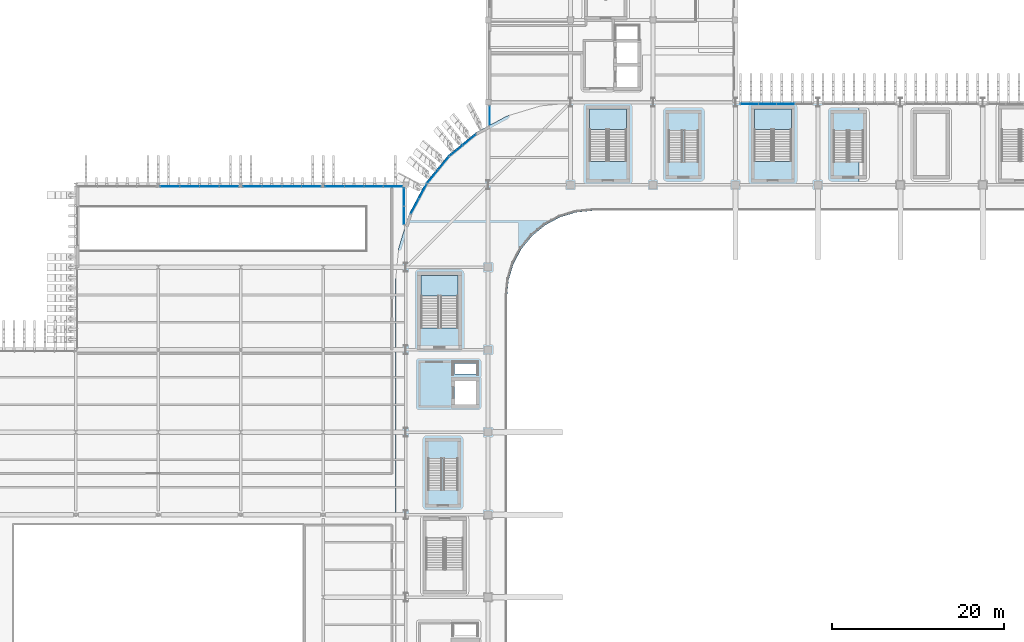
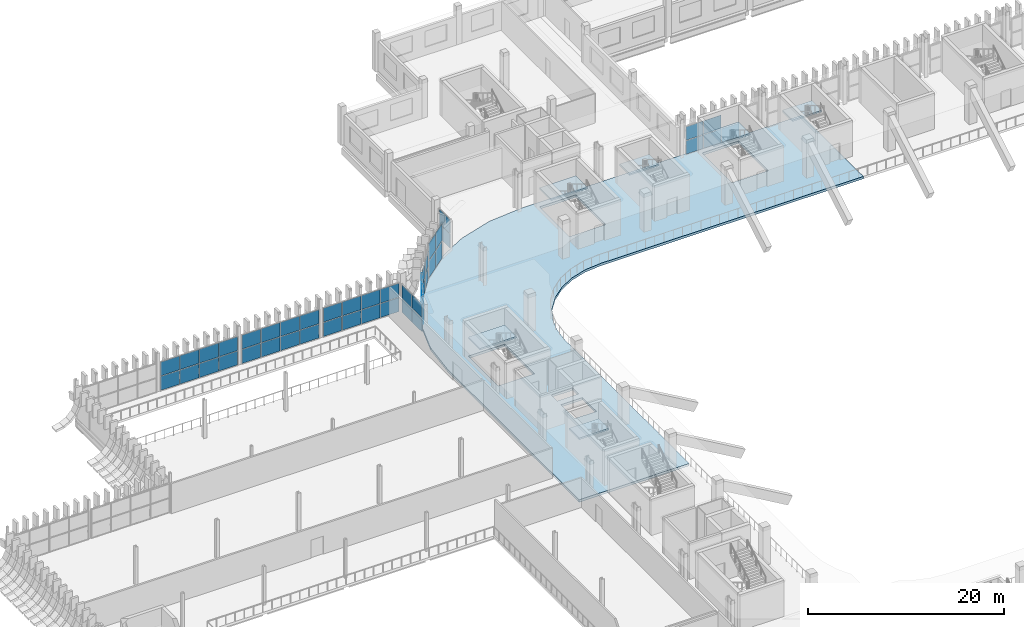
# One storey, part 42 of 100: 47 plates, 7 slabs, 15 elements without a shape of their own.
"""IFC4 building model written with IfcOpenShell, lengths in metres."""

import ifcopenshell
import ifcopenshell.guid

model = None  # the IFC model being written
_history = None  # IfcOwnerHistory: only IFC2X3 demands one
_inside = {}  # id of a spatial element -> (the spatial element, [elements in it])
_under = {}  # id of a project, library or spatial element -> (it, [spatial elements below it])
_declared = {}  # id of a project -> (the project, [libraries it declares])
_typed = {}  # id of a type object -> (the type object, [elements of that type])
_made_of = {}  # id of a material, layer set ... -> (it, [elements and type objects made of it])


def new_model(schema):
    """Start an empty IFC model of exactly this schema.

    Asked for "IFC4X3", IfcOpenShell would pick the latest addendum, in which some entities
    have other attributes; the version numbers below select the first issue.
    IFC2X3 requires an IfcOwnerHistory on every rooted entity: one is made here for all.
    """
    global model, _history
    if schema == "IFC4X3":
        model = ifcopenshell.file(schema_version=(4, 3, 0, 0))
    else:
        model = ifcopenshell.file(schema=schema)
    _inside.clear()
    _under.clear()
    _declared.clear()
    _typed.clear()
    _made_of.clear()
    _history = None
    if model.schema == "IFC2X3":
        org = make("IfcOrganization", Name="unknown")
        user = make(
            "IfcPersonAndOrganization",
            ThePerson=make("IfcPerson", FamilyName="unknown"),
            TheOrganization=org,
        )
        app = make(
            "IfcApplication",
            ApplicationDeveloper=org,
            Version="unknown",
            ApplicationFullName="unknown",
            ApplicationIdentifier="unknown",
        )
        _history = make(
            "IfcOwnerHistory",
            OwningUser=user,
            OwningApplication=app,
            ChangeAction="ADDED",
            CreationDate=0,
        )
    return model


def make(cls, **values):
    """One entity of the class cls with the attributes given. An attribute that is None is left unset."""
    return model.create_entity(
        cls, **{name: value for name, value in values.items() if value is not None}
    )


def rooted(cls, **values):
    """An entity with a GlobalId (a new one), such as an element, a storey or a relation."""
    return make(cls, GlobalId=ifcopenshell.guid.new(), OwnerHistory=_history, **values)


def si_unit(unit_type, name, prefix=None):
    """IfcSIUnit, for example si_unit("LENGTHUNIT", "METRE", prefix="MILLI")."""
    return make("IfcSIUnit", UnitType=unit_type, Prefix=prefix, Name=name)


def assignment(units):
    """IfcUnitAssignment: the units of a project."""
    return None if units is None else make("IfcUnitAssignment", Units=units)


def point(xyz):
    """IfcCartesianPoint."""
    return None if xyz is None else make("IfcCartesianPoint", Coordinates=xyz)


def direction(xyz):
    """IfcDirection."""
    return None if xyz is None else make("IfcDirection", DirectionRatios=xyz)


def frame(location, z_axis=None, x_axis=None):
    """IfcAxis2Placement3D, a coordinate frame: its origin and axes. An axis left out is left unset."""
    return make(
        "IfcAxis2Placement3D",
        Location=point(location),
        Axis=direction(z_axis),
        RefDirection=direction(x_axis),
    )


def frame_2d(location, x_axis=None):
    """IfcAxis2Placement2D, a coordinate frame in the plane: its origin and x axis."""
    return make(
        "IfcAxis2Placement2D", Location=point(location), RefDirection=direction(x_axis)
    )


def origin():
    """The frame at (0, 0, 0) with its axes left unset."""
    return frame((0.0, 0.0, 0.0))


def origin_2d():
    """The frame at (0, 0) in the plane with its x axis left unset."""
    return frame_2d((0.0, 0.0))


def place(relative_to, where):
    """IfcLocalPlacement: puts the frame where relative to a parent placement (None: the world)."""
    return make(
        "IfcLocalPlacement", PlacementRelTo=relative_to, RelativePlacement=where
    )


def context(
    kind, dimensions, precision=None, world=None, true_north=None, identifier=None
):
    """IfcGeometricRepresentationContext, for example the 3D "Model" context."""
    return make(
        "IfcGeometricRepresentationContext",
        ContextIdentifier=identifier,
        ContextType=kind,
        CoordinateSpaceDimension=dimensions,
        Precision=precision,
        WorldCoordinateSystem=world,
        TrueNorth=true_north,
    )


def subcontext(parent, identifier, kind, view, scale=None):
    """IfcGeometricRepresentationSubContext, for example "Body" below "Model"."""
    return make(
        "IfcGeometricRepresentationSubContext",
        ContextIdentifier=identifier,
        ContextType=kind,
        ParentContext=parent,
        TargetScale=scale,
        TargetView=view,
    )


def project(units=None, contexts=None):
    """IfcProject with its units and contexts."""
    return rooted(
        "IfcProject",
        Name="project",
        RepresentationContexts=contexts,
        UnitsInContext=assignment(units),
    )


def spatial(cls, under=None, at=None, **own):
    """A site, building, storey or space (cls), placed at a placement, below another one or the project."""
    s = rooted(cls, ObjectPlacement=at, **own)
    if under is not None:
        _under.setdefault(under.id(), (under, []))[1].append(s)
    return s


def polyline(points):
    """IfcPolyline through the points."""
    return make("IfcPolyline", Points=[point(p) for p in points])


def profile(cls, at=None, kind="AREA", **sizes):
    """A parametric profile (cls). Its sizes go by their IFC names, for example OverallWidth=200.0."""
    return make(cls, ProfileType=kind, Position=at, **sizes)


def rectangle(**sizes):
    """IfcRectangleProfileDef."""
    return profile("IfcRectangleProfileDef", **sizes)


def outline(outer, holes=None, kind="AREA"):
    """IfcArbitraryClosedProfileDef: a profile drawn as a closed curve; with holes, ...WithVoids."""
    if holes is None:
        return make("IfcArbitraryClosedProfileDef", ProfileType=kind, OuterCurve=outer)
    return make(
        "IfcArbitraryProfileDefWithVoids",
        ProfileType=kind,
        OuterCurve=outer,
        InnerCurves=holes,
    )


def extrude(swept, where, along, depth):
    """IfcExtrudedAreaSolid: the profile swept, set in the frame where, extruded along a direction by depth."""
    return make(
        "IfcExtrudedAreaSolid",
        SweptArea=swept,
        Position=where,
        ExtrudedDirection=direction(along),
        Depth=depth,
    )


def shape(context_of_items, identifier, shape_type, items):
    """IfcShapeRepresentation: the items that make up one representation, for example the "Body"."""
    return make(
        "IfcShapeRepresentation",
        ContextOfItems=context_of_items,
        RepresentationIdentifier=identifier,
        RepresentationType=shape_type,
        Items=items,
    )


def material(Name=None, Category=None):
    """IfcMaterial."""
    return make("IfcMaterial", Name=Name, Category=Category)


def layer(
    of_material, thickness, ventilated=None, Name=None, Category=None, Priority=None
):
    """IfcMaterialLayer: one layer of a wall or slab, of a material (None: an air gap)."""
    return make(
        "IfcMaterialLayer",
        Material=of_material,
        LayerThickness=thickness,
        IsVentilated=ventilated,
        Name=Name,
        Category=Category,
        Priority=Priority,
    )


def layer_set(layers, Name=None):
    """IfcMaterialLayerSet."""
    return make("IfcMaterialLayerSet", MaterialLayers=layers, LayerSetName=Name)


def made_of(thing, what):
    """Note that an element or type object is made of a material, layer set ...; save() writes the relation."""
    if what is not None:
        _made_of.setdefault(what.id(), (what, []))[1].append(thing)
    return thing


def type_object(cls, material=None, **own):
    """A type object (cls), such as IfcWallType, which elements share."""
    return made_of(rooted(cls, **own), material)


def element(
    cls,
    number,
    at=None,
    inside=None,
    cuts=None,
    type_object=None,
    material=None,
    context=None,
    identifier="Body",
    shape_type=None,
    held_by="IfcProductDefinitionShape",
    body=None,
    shapes=None,
    **own,
):
    """One element of the class cls, such as IfcWall. Its Tag is "e" and its number.

    at: its placement. inside: the storey or other place that contains it. cuts: it is an
    opening in that element (IfcRelVoidsElement). A single representation is given by context,
    identifier, shape_type and body (its items); several are given by shapes. held_by: the class
    of the entity that holds the representations. save() writes the other relations.
    """
    e = rooted(cls, Tag="e%d" % number, ObjectPlacement=at, **own)
    if body is not None:
        shapes = [shape(context, identifier, shape_type, body)]
    if shapes is not None:
        e.Representation = make(held_by, Representations=shapes)
    if inside is not None:
        _inside.setdefault(inside.id(), (inside, []))[1].append(e)
    if cuts is not None:
        rooted(
            "IfcRelVoidsElement", RelatingBuildingElement=cuts, RelatedOpeningElement=e
        )
    if type_object is not None:
        _typed.setdefault(type_object.id(), (type_object, []))[1].append(e)
    return made_of(e, material)


def aggregate(whole, parts):
    """IfcRelAggregates: a whole, such as a stair, and the parts it consists of."""
    return rooted("IfcRelAggregates", RelatingObject=whole, RelatedObjects=parts)


def save(model, path):
    """Write the relations noted so far, then the file.

    IfcRelAggregates (storeys below a building ...), IfcRelContainedInSpatialStructure (elements
    in a storey), IfcRelDefinesByType, IfcRelAssociatesMaterial and IfcRelDeclares: one each for
    every whole, place, type object, material and project.
    """
    for whole, parts in _under.values():
        aggregate(whole, parts)
    for where, things in _inside.values():
        rooted(
            "IfcRelContainedInSpatialStructure",
            RelatedElements=things,
            RelatingStructure=where,
        )
    for kind, things in _typed.values():
        rooted("IfcRelDefinesByType", RelatedObjects=things, RelatingType=kind)
    for what, things in _made_of.values():
        rooted("IfcRelAssociatesMaterial", RelatedObjects=things, RelatingMaterial=what)
    for by, libraries in _declared.values():
        rooted("IfcRelDeclares", RelatingContext=by, RelatedDefinitions=libraries)
    model.write(path)


model = new_model("IFC4")

# Units and contexts
model_context = context("Model", 3, precision=1e-05, world=origin(), true_north=direction((0.0, 1.0)))
body_context = subcontext(model_context, "Body", "Model", "MODEL_VIEW")
ifc_project = project(units=[si_unit("LENGTHUNIT", "METRE"), si_unit("AREAUNIT", "SQUARE_METRE"), si_unit("VOLUMEUNIT", "CUBIC_METRE"), si_unit("PLANEANGLEUNIT", "RADIAN"), si_unit("MASSUNIT", "GRAM", prefix="KILO")], contexts=[model_context])

# Site, building, storey
site_placement = place(None, origin())
site = spatial("IfcSite", under=ifc_project, at=site_placement, CompositionType="ELEMENT")
building_placement = place(site_placement, origin())
building = spatial("IfcBuilding", under=site, at=building_placement, Name="Caelomonte Colonnade Arena", CompositionType="ELEMENT")
storey_placement = place(building_placement, origin())
storey = spatial("IfcBuildingStorey", under=building, at=storey_placement, Name="L00", CompositionType="ELEMENT", Elevation=0.0)

# Curtain wall, plates
ifc_material_1 = material(Name="Bronze anodised aluminium and low-E glazing", Category="aluminium")
ifc_layer_1 = layer(ifc_material_1, 0.179931640625)
ifc_layer_set_1 = layer_set([ifc_layer_1], Name="Bronze anodised aluminium and low-E glazing")
curtain_wall_type_1 = type_object("IfcCurtainWallType", Name="ENV-CW-CW-L00-29-37", PredefinedType="USERDEFINED", material=ifc_layer_set_1)
curtain_wall_1_placement = place(storey_placement, origin())
curtain_wall_1 = element("IfcCurtainWall", 1, at=curtain_wall_1_placement, inside=storey, type_object=curtain_wall_type_1, Name="L00 unitized curtain wall CW-L00-0674-1138", ObjectType="UNITIZED CURTAIN WALL", PredefinedType="USERDEFINED")
ifc_material_2 = material(Name="Solar-control bronze low-E double glazing", Category="glass")
ifc_layer_2 = layer(ifc_material_2, 0.028076171875)
ifc_layer_set_2 = layer_set([ifc_layer_2], Name="Solar-control bronze low-E double glazing")
plate_type = type_object("IfcPlateType", Name="ENV-CW-PAN28", PredefinedType="CURTAIN_PANEL", material=ifc_layer_set_2)
plate_1_placement = place(storey_placement, frame((67.3798828125, 113.669921875, 0.06982421875), z_axis=(0.0, 0.0, 1.0), x_axis=(0.0, -1.0, 0.0)))
plate_1 = element("IfcPlate", 2, at=plate_1_placement, type_object=plate_type, Name="CW-L00-29-37 panel 1.1", PredefinedType="CURTAIN_PANEL", context=body_context, shape_type="SweptSolid", body=[
    extrude(rectangle(XDim=2.22998046875, YDim=0.028076171875, at=origin_2d()), origin(), (0.0, 0.0, 1.0), 1.7451171875),
])
plate_2_placement = place(storey_placement, frame((67.3798828125, 113.669921875, 1.885009765625), z_axis=(0.0, 0.0, 1.0), x_axis=(0.0, -1.0, 0.0)))
plate_2 = element("IfcPlate", 3, at=plate_2_placement, type_object=plate_type, Name="CW-L00-29-37 panel 1.2", PredefinedType="CURTAIN_PANEL", context=body_context, shape_type="SweptSolid", body=[
    extrude(rectangle(XDim=2.22998046875, YDim=0.028076171875, at=origin_2d()), origin(), (0.0, 0.0, 1.0), 1.7451171875),
])
aggregate(curtain_wall_1, [plate_1, plate_2])

ifc_layer_3 = layer(ifc_material_1, 0.179931640625)
ifc_layer_set_3 = layer_set([ifc_layer_3], Name="Bronze anodised aluminium and low-E glazing")
curtain_wall_type_2 = type_object("IfcCurtainWallType", Name="ENV-CW-CW-L00-44-45", PredefinedType="USERDEFINED", material=ifc_layer_set_3)
curtain_wall_2_placement = place(storey_placement, origin())
curtain_wall_2 = element("IfcCurtainWall", 4, at=curtain_wall_2_placement, inside=storey, type_object=curtain_wall_type_2, Name="L00 unitized curtain wall CW-L00-0643-1102", ObjectType="UNITIZED CURTAIN WALL", PredefinedType="USERDEFINED")
plate_3_placement = place(storey_placement, frame((65.022705078125, 110.844970703125, 0.070068359375), z_axis=(0.0, 0.0, 1.0), x_axis=(-0.772991751994, -0.634416071163, 0.0)))
plate_3 = element("IfcPlate", 5, at=plate_3_placement, type_object=plate_type, Name="CW-L00-44-45 panel 1.1", PredefinedType="CURTAIN_PANEL", context=body_context, shape_type="SweptSolid", body=[
    extrude(rectangle(XDim=1.913330078125, YDim=0.028076171875, at=origin_2d()), origin(), (0.0, 0.0, 1.0), 2.14501953125),
])
plate_4_placement = place(storey_placement, frame((65.022705078125, 110.844970703125, 2.284912109375), z_axis=(0.0, 0.0, 1.0), x_axis=(-0.772991751994, -0.634416071163, 0.0)))
plate_4 = element("IfcPlate", 6, at=plate_4_placement, type_object=plate_type, Name="CW-L00-44-45 panel 1.2", PredefinedType="CURTAIN_PANEL", context=body_context, shape_type="SweptSolid", body=[
    extrude(rectangle(XDim=1.913330078125, YDim=0.028076171875, at=origin_2d()), origin(), (0.0, 0.0, 1.0), 2.14501953125),
])
plate_5_placement = place(storey_placement, frame((63.489501953125, 109.586669921875, 0.070068359375), z_axis=(0.0, 0.0, 1.0), x_axis=(-0.772991751994, -0.634416071163, 0.0)))
plate_5 = element("IfcPlate", 7, at=plate_5_placement, type_object=plate_type, Name="CW-L00-44-45 panel 2.1", PredefinedType="CURTAIN_PANEL", context=body_context, shape_type="SweptSolid", body=[
    extrude(rectangle(XDim=1.913330078125, YDim=0.028076171875, at=origin_2d()), origin(), (0.0, 0.0, 1.0), 2.14501953125),
])
plate_6_placement = place(storey_placement, frame((63.489501953125, 109.586669921875, 2.284912109375), z_axis=(0.0, 0.0, 1.0), x_axis=(-0.772991751994, -0.634416071163, 0.0)))
plate_6 = element("IfcPlate", 8, at=plate_6_placement, type_object=plate_type, Name="CW-L00-44-45 panel 2.2", PredefinedType="CURTAIN_PANEL", context=body_context, shape_type="SweptSolid", body=[
    extrude(rectangle(XDim=1.913330078125, YDim=0.028076171875, at=origin_2d()), origin(), (0.0, 0.0, 1.0), 2.14501953125),
])
aggregate(curtain_wall_2, [plate_3, plate_4, plate_5, plate_6])

ifc_layer_4 = layer(ifc_material_1, 0.179931640625)
ifc_layer_set_4 = layer_set([ifc_layer_4], Name="Bronze anodised aluminium and low-E glazing")
curtain_wall_type_3 = type_object("IfcCurtainWallType", Name="ENV-CW-CW-L00-44-37", PredefinedType="USERDEFINED", material=ifc_layer_set_4)
curtain_wall_3_placement = place(storey_placement, origin())
curtain_wall_3 = element("IfcCurtainWall", 9, at=curtain_wall_3_placement, inside=storey, type_object=curtain_wall_type_3, Name="L00 unitized curtain wall CW-L00-0614-1073", ObjectType="UNITIZED CURTAIN WALL", PredefinedType="USERDEFINED")
plate_7_placement = place(storey_placement, frame((62.01318359375, 108.1103515625, 0.06982421875), z_axis=(0.0, 0.0, 1.0), x_axis=(-0.634416071163, -0.772991751994, 0.0)))
plate_7 = element("IfcPlate", 10, at=plate_7_placement, type_object=plate_type, Name="CW-L00-44-37 panel 1.1", PredefinedType="CURTAIN_PANEL", context=body_context, shape_type="SweptSolid", body=[
    extrude(rectangle(XDim=1.913330078125, YDim=0.028076171875, at=origin_2d()), origin(), (0.0, 0.0, 1.0), 1.727294921875),
])
plate_8_placement = place(storey_placement, frame((62.01318359375, 108.1103515625, 1.8671875), z_axis=(0.0, 0.0, 1.0), x_axis=(-0.634416071163, -0.772991751994, 0.0)))
plate_8 = element("IfcPlate", 11, at=plate_8_placement, type_object=plate_type, Name="CW-L00-44-37 panel 1.2", PredefinedType="CURTAIN_PANEL", context=body_context, shape_type="SweptSolid", body=[
    extrude(rectangle(XDim=1.913330078125, YDim=0.028076171875, at=origin_2d()), origin(), (0.0, 0.0, 1.0), 1.727294921875),
])
plate_9_placement = place(storey_placement, frame((60.7548828125, 106.577392578125, 0.06982421875), z_axis=(0.0, 0.0, 1.0), x_axis=(-0.634416071163, -0.772991751994, 0.0)))
plate_9 = element("IfcPlate", 12, at=plate_9_placement, type_object=plate_type, Name="CW-L00-44-37 panel 2.1", PredefinedType="CURTAIN_PANEL", context=body_context, shape_type="SweptSolid", body=[
    extrude(rectangle(XDim=1.913330078125, YDim=0.028076171875, at=origin_2d()), origin(), (0.0, 0.0, 1.0), 1.727294921875),
])
plate_10_placement = place(storey_placement, frame((60.7548828125, 106.577392578125, 1.8671875), z_axis=(0.0, 0.0, 1.0), x_axis=(-0.634416071163, -0.772991751994, 0.0)))
plate_10 = element("IfcPlate", 13, at=plate_10_placement, type_object=plate_type, Name="CW-L00-44-37 panel 2.2", PredefinedType="CURTAIN_PANEL", context=body_context, shape_type="SweptSolid", body=[
    extrude(rectangle(XDim=1.913330078125, YDim=0.028076171875, at=origin_2d()), origin(), (0.0, 0.0, 1.0), 1.727294921875),
])
aggregate(curtain_wall_3, [plate_7, plate_8, plate_9, plate_10])

curtain_wall_4_placement = place(storey_placement, origin())
curtain_wall_4 = element("IfcCurtainWall", 14, at=curtain_wall_4_placement, inside=storey, type_object=curtain_wall_type_3, Name="L00 unitized curtain wall CW-L00-0591-1040", ObjectType="UNITIZED CURTAIN WALL", PredefinedType="USERDEFINED")
plate_11_placement = place(storey_placement, frame((59.594970703125, 104.841552734375, 0.06982421875), z_axis=(0.0, 0.0, 1.0), x_axis=(-0.471394212466, -0.881922613642, 0.0)))
plate_11 = element("IfcPlate", 15, at=plate_11_placement, type_object=plate_type, Name="CW-L00-44-37 panel 1.1", PredefinedType="CURTAIN_PANEL", context=body_context, shape_type="SweptSolid", body=[
    extrude(rectangle(XDim=1.913330078125, YDim=0.028076171875, at=origin_2d()), origin(), (0.0, 0.0, 1.0), 1.727294921875),
])
plate_12_placement = place(storey_placement, frame((59.594970703125, 104.841552734375, 1.8671875), z_axis=(0.0, 0.0, 1.0), x_axis=(-0.471394212466, -0.881922613642, 0.0)))
plate_12 = element("IfcPlate", 16, at=plate_12_placement, type_object=plate_type, Name="CW-L00-44-37 panel 1.2", PredefinedType="CURTAIN_PANEL", context=body_context, shape_type="SweptSolid", body=[
    extrude(rectangle(XDim=1.913330078125, YDim=0.028076171875, at=origin_2d()), origin(), (0.0, 0.0, 1.0), 1.727294921875),
])
plate_13_placement = place(storey_placement, frame((58.66015625, 103.09228515625, 0.06982421875), z_axis=(0.0, 0.0, 1.0), x_axis=(-0.471394212466, -0.881922613642, 0.0)))
plate_13 = element("IfcPlate", 17, at=plate_13_placement, type_object=plate_type, Name="CW-L00-44-37 panel 2.1", PredefinedType="CURTAIN_PANEL", context=body_context, shape_type="SweptSolid", body=[
    extrude(rectangle(XDim=1.913330078125, YDim=0.028076171875, at=origin_2d()), origin(), (0.0, 0.0, 1.0), 1.727294921875),
])
plate_14_placement = place(storey_placement, frame((58.66015625, 103.09228515625, 1.8671875), z_axis=(0.0, 0.0, 1.0), x_axis=(-0.471394212466, -0.881922613642, 0.0)))
plate_14 = element("IfcPlate", 18, at=plate_14_placement, type_object=plate_type, Name="CW-L00-44-37 panel 2.2", PredefinedType="CURTAIN_PANEL", context=body_context, shape_type="SweptSolid", body=[
    extrude(rectangle(XDim=1.913330078125, YDim=0.028076171875, at=origin_2d()), origin(), (0.0, 0.0, 1.0), 1.727294921875),
])
aggregate(curtain_wall_4, [plate_11, plate_12, plate_13, plate_14])

ifc_layer_5 = layer(ifc_material_1, 0.179931640625)
ifc_layer_set_5 = layer_set([ifc_layer_5], Name="Bronze anodised aluminium and low-E glazing")
curtain_wall_type_4 = type_object("IfcCurtainWallType", Name="ENV-CW-CW-L00-48-36", PredefinedType="USERDEFINED", material=ifc_layer_set_5)
curtain_wall_5_placement = place(storey_placement, origin())
curtain_wall_5 = element("IfcCurtainWall", 19, at=curtain_wall_5_placement, inside=storey, type_object=curtain_wall_type_4, Name="L00 unitized curtain wall CW-L00-0574-1032", ObjectType="UNITIZED CURTAIN WALL", PredefinedType="USERDEFINED")
plate_15_placement = place(storey_placement, frame((57.419921875, 102.0546875, 0.06982421875), z_axis=(0.0, 0.0, 1.0), x_axis=(0.0, 1.0, 0.0)))
plate_15 = element("IfcPlate", 20, at=plate_15_placement, type_object=plate_type, Name="CW-L00-48-36 panel 1.1", PredefinedType="CURTAIN_PANEL", context=body_context, shape_type="SweptSolid", body=[
    extrude(rectangle(XDim=2.040283203125, YDim=0.028076171875, at=origin_2d()), origin(), (0.0, 0.0, 1.0), 1.681396484375),
])
plate_16_placement = place(storey_placement, frame((57.419921875, 102.0546875, 1.82177734375), z_axis=(0.0, 0.0, 1.0), x_axis=(0.0, 1.0, 0.0)))
plate_16 = element("IfcPlate", 21, at=plate_16_placement, type_object=plate_type, Name="CW-L00-48-36 panel 1.2", PredefinedType="CURTAIN_PANEL", context=body_context, shape_type="SweptSolid", body=[
    extrude(rectangle(XDim=2.040283203125, YDim=0.028076171875, at=origin_2d()), origin(), (0.0, 0.0, 1.0), 1.681396484375),
])
plate_17_placement = place(storey_placement, frame((57.419921875, 104.164794921875, 0.06982421875), z_axis=(0.0, 0.0, 1.0), x_axis=(0.0, 1.0, 0.0)))
plate_17 = element("IfcPlate", 22, at=plate_17_placement, type_object=plate_type, Name="CW-L00-48-36 panel 2.1", PredefinedType="CURTAIN_PANEL", context=body_context, shape_type="SweptSolid", body=[
    extrude(rectangle(XDim=2.040283203125, YDim=0.028076171875, at=origin_2d()), origin(), (0.0, 0.0, 1.0), 1.681396484375),
])
plate_18_placement = place(storey_placement, frame((57.419921875, 104.164794921875, 1.82177734375), z_axis=(0.0, 0.0, 1.0), x_axis=(0.0, 1.0, 0.0)))
plate_18 = element("IfcPlate", 23, at=plate_18_placement, type_object=plate_type, Name="CW-L00-48-36 panel 2.2", PredefinedType="CURTAIN_PANEL", context=body_context, shape_type="SweptSolid", body=[
    extrude(rectangle(XDim=2.040283203125, YDim=0.028076171875, at=origin_2d()), origin(), (0.0, 0.0, 1.0), 1.681396484375),
])
aggregate(curtain_wall_5, [plate_15, plate_16, plate_17, plate_18])

ifc_layer_6 = layer(ifc_material_1, 0.179931640625)
ifc_layer_set_6 = layer_set([ifc_layer_6], Name="Bronze anodised aluminium and low-E glazing")
curtain_wall_type_5 = type_object("IfcCurtainWallType", Name="ENV-CW-CW-L00-96-37", PredefinedType="USERDEFINED", material=ifc_layer_set_6)
curtain_wall_6_placement = place(storey_placement, origin())
curtain_wall_6 = element("IfcCurtainWall", 24, at=curtain_wall_6_placement, inside=storey, type_object=curtain_wall_type_5, Name="L00 unitized curtain wall CW-L00-0528-1054", ObjectType="UNITIZED CURTAIN WALL", PredefinedType="USERDEFINED")
plate_19_placement = place(storey_placement, frame((56.107421875, 105.419921875, 0.06494140625), z_axis=(0.0, 0.0, 1.0), x_axis=(-1.0, 0.0, 0.0)))
plate_19 = element("IfcPlate", 25, at=plate_19_placement, type_object=plate_type, Name="CW-L00-96-37 panel 1.1", PredefinedType="CURTAIN_PANEL", context=body_context, shape_type="SweptSolid", body=[
    extrude(rectangle(XDim=2.1650390625, YDim=0.028076171875, at=origin_2d()), origin(), (0.0, 0.0, 1.0), 1.734619140625),
])
plate_20_placement = place(storey_placement, frame((56.107421875, 105.419921875, 1.86474609375), z_axis=(0.0, 0.0, 1.0), x_axis=(-1.0, 0.0, 0.0)))
plate_20 = element("IfcPlate", 26, at=plate_20_placement, type_object=plate_type, Name="CW-L00-96-37 panel 1.2", PredefinedType="CURTAIN_PANEL", context=body_context, shape_type="SweptSolid", body=[
    extrude(rectangle(XDim=2.1650390625, YDim=0.028076171875, at=origin_2d()), origin(), (0.0, 0.0, 1.0), 1.734619140625),
])
plate_21_placement = place(storey_placement, frame((53.861083984375, 105.419921875, 0.06494140625), z_axis=(0.0, 0.0, 1.0), x_axis=(-1.0, 0.0, 0.0)))
plate_21 = element("IfcPlate", 27, at=plate_21_placement, type_object=plate_type, Name="CW-L00-96-37 panel 2.1", PredefinedType="CURTAIN_PANEL", context=body_context, shape_type="SweptSolid", body=[
    extrude(rectangle(XDim=2.19775390625, YDim=0.028076171875, at=origin_2d()), origin(), (0.0, 0.0, 1.0), 1.734619140625),
])
plate_22_placement = place(storey_placement, frame((53.861083984375, 105.419921875, 1.86474609375), z_axis=(0.0, 0.0, 1.0), x_axis=(-1.0, 0.0, 0.0)))
plate_22 = element("IfcPlate", 28, at=plate_22_placement, type_object=plate_type, Name="CW-L00-96-37 panel 2.2", PredefinedType="CURTAIN_PANEL", context=body_context, shape_type="SweptSolid", body=[
    extrude(rectangle(XDim=2.19775390625, YDim=0.028076171875, at=origin_2d()), origin(), (0.0, 0.0, 1.0), 1.734619140625),
])
plate_23_placement = place(storey_placement, frame((51.598388671875, 105.419921875, 0.06494140625), z_axis=(0.0, 0.0, 1.0), x_axis=(-1.0, 0.0, 0.0)))
plate_23 = element("IfcPlate", 29, at=plate_23_placement, type_object=plate_type, Name="CW-L00-96-37 panel 3.1", PredefinedType="CURTAIN_PANEL", context=body_context, shape_type="SweptSolid", body=[
    extrude(rectangle(XDim=2.19775390625, YDim=0.028076171875, at=origin_2d()), origin(), (0.0, 0.0, 1.0), 1.734619140625),
])
plate_24_placement = place(storey_placement, frame((51.598388671875, 105.419921875, 1.86474609375), z_axis=(0.0, 0.0, 1.0), x_axis=(-1.0, 0.0, 0.0)))
plate_24 = element("IfcPlate", 30, at=plate_24_placement, type_object=plate_type, Name="CW-L00-96-37 panel 3.2", PredefinedType="CURTAIN_PANEL", context=body_context, shape_type="SweptSolid", body=[
    extrude(rectangle(XDim=2.19775390625, YDim=0.028076171875, at=origin_2d()), origin(), (0.0, 0.0, 1.0), 1.734619140625),
])
plate_25_placement = place(storey_placement, frame((49.35205078125, 105.419921875, 0.06494140625), z_axis=(0.0, 0.0, 1.0), x_axis=(-1.0, 0.0, 0.0)))
plate_25 = element("IfcPlate", 31, at=plate_25_placement, type_object=plate_type, Name="CW-L00-96-37 panel 4.1", PredefinedType="CURTAIN_PANEL", context=body_context, shape_type="SweptSolid", body=[
    extrude(rectangle(XDim=2.1650390625, YDim=0.028076171875, at=origin_2d()), origin(), (0.0, 0.0, 1.0), 1.734619140625),
])
plate_26_placement = place(storey_placement, frame((49.35205078125, 105.419921875, 1.86474609375), z_axis=(0.0, 0.0, 1.0), x_axis=(-1.0, 0.0, 0.0)))
plate_26 = element("IfcPlate", 32, at=plate_26_placement, type_object=plate_type, Name="CW-L00-96-37 panel 4.2", PredefinedType="CURTAIN_PANEL", context=body_context, shape_type="SweptSolid", body=[
    extrude(rectangle(XDim=2.1650390625, YDim=0.028076171875, at=origin_2d()), origin(), (0.0, 0.0, 1.0), 1.734619140625),
])
aggregate(curtain_wall_6, [plate_19, plate_20, plate_21, plate_22, plate_23, plate_24, plate_25, plate_26])

curtain_wall_7_placement = place(storey_placement, origin())
curtain_wall_7 = element("IfcCurtainWall", 33, at=curtain_wall_7_placement, inside=storey, type_object=curtain_wall_type_5, Name="L00 unitized curtain wall CW-L00-0432-1054", ObjectType="UNITIZED CURTAIN WALL", PredefinedType="USERDEFINED")
plate_27_placement = place(storey_placement, frame((46.63037109375, 105.419921875, 0.06494140625), z_axis=(0.0, 0.0, 1.0), x_axis=(-1.0, 0.0, 0.0)))
plate_27 = element("IfcPlate", 34, at=plate_27_placement, type_object=plate_type, Name="CW-L00-96-37 panel 1.1", PredefinedType="CURTAIN_PANEL", context=body_context, shape_type="SweptSolid", body=[
    extrude(rectangle(XDim=2.2001953125, YDim=0.028076171875, at=origin_2d()), origin(), (0.0, 0.0, 1.0), 1.734619140625),
])
plate_28_placement = place(storey_placement, frame((46.63037109375, 105.419921875, 1.86474609375), z_axis=(0.0, 0.0, 1.0), x_axis=(-1.0, 0.0, 0.0)))
plate_28 = element("IfcPlate", 35, at=plate_28_placement, type_object=plate_type, Name="CW-L00-96-37 panel 1.2", PredefinedType="CURTAIN_PANEL", context=body_context, shape_type="SweptSolid", body=[
    extrude(rectangle(XDim=2.2001953125, YDim=0.028076171875, at=origin_2d()), origin(), (0.0, 0.0, 1.0), 1.734619140625),
])
plate_29_placement = place(storey_placement, frame((44.348876953125, 105.419921875, 0.06494140625), z_axis=(0.0, 0.0, 1.0), x_axis=(-1.0, 0.0, 0.0)))
plate_29 = element("IfcPlate", 36, at=plate_29_placement, type_object=plate_type, Name="CW-L00-96-37 panel 2.1", PredefinedType="CURTAIN_PANEL", context=body_context, shape_type="SweptSolid", body=[
    extrude(rectangle(XDim=2.23291015625, YDim=0.028076171875, at=origin_2d()), origin(), (0.0, 0.0, 1.0), 1.734619140625),
])
plate_30_placement = place(storey_placement, frame((44.348876953125, 105.419921875, 1.86474609375), z_axis=(0.0, 0.0, 1.0), x_axis=(-1.0, 0.0, 0.0)))
plate_30 = element("IfcPlate", 37, at=plate_30_placement, type_object=plate_type, Name="CW-L00-96-37 panel 2.2", PredefinedType="CURTAIN_PANEL", context=body_context, shape_type="SweptSolid", body=[
    extrude(rectangle(XDim=2.23291015625, YDim=0.028076171875, at=origin_2d()), origin(), (0.0, 0.0, 1.0), 1.734619140625),
])
plate_31_placement = place(storey_placement, frame((42.051025390625, 105.419921875, 0.06494140625), z_axis=(0.0, 0.0, 1.0), x_axis=(-1.0, 0.0, 0.0)))
plate_31 = element("IfcPlate", 38, at=plate_31_placement, type_object=plate_type, Name="CW-L00-96-37 panel 3.1", PredefinedType="CURTAIN_PANEL", context=body_context, shape_type="SweptSolid", body=[
    extrude(rectangle(XDim=2.23291015625, YDim=0.028076171875, at=origin_2d()), origin(), (0.0, 0.0, 1.0), 1.734619140625),
])
plate_32_placement = place(storey_placement, frame((42.051025390625, 105.419921875, 1.86474609375), z_axis=(0.0, 0.0, 1.0), x_axis=(-1.0, 0.0, 0.0)))
plate_32 = element("IfcPlate", 39, at=plate_32_placement, type_object=plate_type, Name="CW-L00-96-37 panel 3.2", PredefinedType="CURTAIN_PANEL", context=body_context, shape_type="SweptSolid", body=[
    extrude(rectangle(XDim=2.23291015625, YDim=0.028076171875, at=origin_2d()), origin(), (0.0, 0.0, 1.0), 1.734619140625),
])
plate_33_placement = place(storey_placement, frame((39.76953125, 105.419921875, 0.06494140625), z_axis=(0.0, 0.0, 1.0), x_axis=(-1.0, 0.0, 0.0)))
plate_33 = element("IfcPlate", 40, at=plate_33_placement, type_object=plate_type, Name="CW-L00-96-37 panel 4.1", PredefinedType="CURTAIN_PANEL", context=body_context, shape_type="SweptSolid", body=[
    extrude(rectangle(XDim=2.2001953125, YDim=0.028076171875, at=origin_2d()), origin(), (0.0, 0.0, 1.0), 1.734619140625),
])
plate_34_placement = place(storey_placement, frame((39.76953125, 105.419921875, 1.86474609375), z_axis=(0.0, 0.0, 1.0), x_axis=(-1.0, 0.0, 0.0)))
plate_34 = element("IfcPlate", 41, at=plate_34_placement, type_object=plate_type, Name="CW-L00-96-37 panel 4.2", PredefinedType="CURTAIN_PANEL", context=body_context, shape_type="SweptSolid", body=[
    extrude(rectangle(XDim=2.2001953125, YDim=0.028076171875, at=origin_2d()), origin(), (0.0, 0.0, 1.0), 1.734619140625),
])
aggregate(curtain_wall_7, [plate_27, plate_28, plate_29, plate_30, plate_31, plate_32, plate_33, plate_34])

curtain_wall_8_placement = place(storey_placement, origin())
curtain_wall_8 = element("IfcCurtainWall", 42, at=curtain_wall_8_placement, inside=storey, type_object=curtain_wall_type_5, Name="L00 unitized curtain wall CW-L00-0336-1054", ObjectType="UNITIZED CURTAIN WALL", PredefinedType="USERDEFINED")
plate_35_placement = place(storey_placement, frame((37.030517578125, 105.419921875, 0.06494140625), z_axis=(0.0, 0.0, 1.0), x_axis=(-1.0, 0.0, 0.0)))
plate_35 = element("IfcPlate", 43, at=plate_35_placement, type_object=plate_type, Name="CW-L00-96-37 panel 1.1", PredefinedType="CURTAIN_PANEL", context=body_context, shape_type="SweptSolid", body=[
    extrude(rectangle(XDim=2.2001953125, YDim=0.028076171875, at=origin_2d()), origin(), (0.0, 0.0, 1.0), 1.734619140625),
])
plate_36_placement = place(storey_placement, frame((37.030517578125, 105.419921875, 1.86474609375), z_axis=(0.0, 0.0, 1.0), x_axis=(-1.0, 0.0, 0.0)))
plate_36 = element("IfcPlate", 44, at=plate_36_placement, type_object=plate_type, Name="CW-L00-96-37 panel 1.2", PredefinedType="CURTAIN_PANEL", context=body_context, shape_type="SweptSolid", body=[
    extrude(rectangle(XDim=2.2001953125, YDim=0.028076171875, at=origin_2d()), origin(), (0.0, 0.0, 1.0), 1.734619140625),
])
plate_37_placement = place(storey_placement, frame((34.748779296875, 105.419921875, 0.06494140625), z_axis=(0.0, 0.0, 1.0), x_axis=(-1.0, 0.0, 0.0)))
plate_37 = element("IfcPlate", 45, at=plate_37_placement, type_object=plate_type, Name="CW-L00-96-37 panel 2.1", PredefinedType="CURTAIN_PANEL", context=body_context, shape_type="SweptSolid", body=[
    extrude(rectangle(XDim=2.23291015625, YDim=0.028076171875, at=origin_2d()), origin(), (0.0, 0.0, 1.0), 1.734619140625),
])
plate_38_placement = place(storey_placement, frame((34.748779296875, 105.419921875, 1.86474609375), z_axis=(0.0, 0.0, 1.0), x_axis=(-1.0, 0.0, 0.0)))
plate_38 = element("IfcPlate", 46, at=plate_38_placement, type_object=plate_type, Name="CW-L00-96-37 panel 2.2", PredefinedType="CURTAIN_PANEL", context=body_context, shape_type="SweptSolid", body=[
    extrude(rectangle(XDim=2.23291015625, YDim=0.028076171875, at=origin_2d()), origin(), (0.0, 0.0, 1.0), 1.734619140625),
])
plate_39_placement = place(storey_placement, frame((32.451171875, 105.419921875, 0.06494140625), z_axis=(0.0, 0.0, 1.0), x_axis=(-1.0, 0.0, 0.0)))
plate_39 = element("IfcPlate", 47, at=plate_39_placement, type_object=plate_type, Name="CW-L00-96-37 panel 3.1", PredefinedType="CURTAIN_PANEL", context=body_context, shape_type="SweptSolid", body=[
    extrude(rectangle(XDim=2.23291015625, YDim=0.028076171875, at=origin_2d()), origin(), (0.0, 0.0, 1.0), 1.734619140625),
])
plate_40_placement = place(storey_placement, frame((32.451171875, 105.419921875, 1.86474609375), z_axis=(0.0, 0.0, 1.0), x_axis=(-1.0, 0.0, 0.0)))
plate_40 = element("IfcPlate", 48, at=plate_40_placement, type_object=plate_type, Name="CW-L00-96-37 panel 3.2", PredefinedType="CURTAIN_PANEL", context=body_context, shape_type="SweptSolid", body=[
    extrude(rectangle(XDim=2.23291015625, YDim=0.028076171875, at=origin_2d()), origin(), (0.0, 0.0, 1.0), 1.734619140625),
])
plate_41_placement = place(storey_placement, frame((30.16943359375, 105.419921875, 0.06494140625), z_axis=(0.0, 0.0, 1.0), x_axis=(-1.0, 0.0, 0.0)))
plate_41 = element("IfcPlate", 49, at=plate_41_placement, type_object=plate_type, Name="CW-L00-96-37 panel 4.1", PredefinedType="CURTAIN_PANEL", context=body_context, shape_type="SweptSolid", body=[
    extrude(rectangle(XDim=2.2001953125, YDim=0.028076171875, at=origin_2d()), origin(), (0.0, 0.0, 1.0), 1.734619140625),
])
plate_42_placement = place(storey_placement, frame((30.16943359375, 105.419921875, 1.86474609375), z_axis=(0.0, 0.0, 1.0), x_axis=(-1.0, 0.0, 0.0)))
plate_42 = element("IfcPlate", 50, at=plate_42_placement, type_object=plate_type, Name="CW-L00-96-37 panel 4.2", PredefinedType="CURTAIN_PANEL", context=body_context, shape_type="SweptSolid", body=[
    extrude(rectangle(XDim=2.2001953125, YDim=0.028076171875, at=origin_2d()), origin(), (0.0, 0.0, 1.0), 1.734619140625),
])
aggregate(curtain_wall_8, [plate_35, plate_36, plate_37, plate_38, plate_39, plate_40, plate_41, plate_42])

ifc_layer_7 = layer(ifc_material_1, 0.179931640625)
ifc_layer_set_7 = layer_set([ifc_layer_7], Name="Bronze anodised aluminium and low-E glazing")
curtain_wall_type_6 = type_object("IfcCurtainWallType", Name="ENV-CW-CW-L00-96-36", PredefinedType="USERDEFINED", material=ifc_layer_set_7)
curtain_wall_9_placement = place(storey_placement, origin())
curtain_wall_9 = element("IfcCurtainWall", 51, at=curtain_wall_9_placement, inside=storey, type_object=curtain_wall_type_6, Name="L00 unitized curtain wall CW-L00-1008-1150", ObjectType="UNITIZED CURTAIN WALL", PredefinedType="USERDEFINED")
plate_43_placement = place(storey_placement, frame((101.86474609375, 115.02001953125, 0.06982421875), z_axis=(0.0, 0.0, 1.0), x_axis=(-1.0, 0.0, 0.0)))
plate_43 = element("IfcPlate", 52, at=plate_43_placement, type_object=plate_type, Name="CW-L00-96-36 panel 2.1", PredefinedType="CURTAIN_PANEL", context=body_context, shape_type="SweptSolid", body=[
    extrude(rectangle(XDim=2.0595703125, YDim=0.028076171875, at=origin_2d()), origin(), (0.0, 0.0, 1.0), 1.681396484375),
])
plate_44_placement = place(storey_placement, frame((99.735107421875, 115.02001953125, 0.06982421875), z_axis=(0.0, 0.0, 1.0), x_axis=(-1.0, 0.0, 0.0)))
plate_44 = element("IfcPlate", 53, at=plate_44_placement, type_object=plate_type, Name="CW-L00-96-36 panel 3.1", PredefinedType="CURTAIN_PANEL", context=body_context, shape_type="SweptSolid", body=[
    extrude(rectangle(XDim=2.0595703125, YDim=0.028076171875, at=origin_2d()), origin(), (0.0, 0.0, 1.0), 1.681396484375),
])
plate_45_placement = place(storey_placement, frame((99.735107421875, 115.02001953125, 1.82177734375), z_axis=(0.0, 0.0, 1.0), x_axis=(-1.0, 0.0, 0.0)))
plate_45 = element("IfcPlate", 54, at=plate_45_placement, type_object=plate_type, Name="CW-L00-96-36 panel 3.2", PredefinedType="CURTAIN_PANEL", context=body_context, shape_type="SweptSolid", body=[
    extrude(rectangle(XDim=2.0595703125, YDim=0.028076171875, at=origin_2d()), origin(), (0.0, 0.0, 1.0), 1.681396484375),
])
plate_46_placement = place(storey_placement, frame((97.623046875, 115.02001953125, 0.06982421875), z_axis=(0.0, 0.0, 1.0), x_axis=(-1.0, 0.0, 0.0)))
plate_46 = element("IfcPlate", 55, at=plate_46_placement, type_object=plate_type, Name="CW-L00-96-36 panel 4.1", PredefinedType="CURTAIN_PANEL", context=body_context, shape_type="SweptSolid", body=[
    extrude(rectangle(XDim=2.024658203125, YDim=0.028076171875, at=origin_2d()), origin(), (0.0, 0.0, 1.0), 1.681396484375),
])
plate_47_placement = place(storey_placement, frame((97.623046875, 115.02001953125, 1.82177734375), z_axis=(0.0, 0.0, 1.0), x_axis=(-1.0, 0.0, 0.0)))
plate_47 = element("IfcPlate", 56, at=plate_47_placement, type_object=plate_type, Name="CW-L00-96-36 panel 4.2", PredefinedType="CURTAIN_PANEL", context=body_context, shape_type="SweptSolid", body=[
    extrude(rectangle(XDim=2.024658203125, YDim=0.028076171875, at=origin_2d()), origin(), (0.0, 0.0, 1.0), 1.681396484375),
])
aggregate(curtain_wall_9, [plate_43, plate_44, plate_45, plate_46, plate_47])

# Stair, slab
ifc_material_3 = material(Name="Concrete C40/50", Category="concrete")
stair_type_1 = type_object("IfcStairType", Name="INT-ST-WING48", PredefinedType="HALF_TURN_STAIR", material=ifc_material_3)
stair_1_placement = place(storey_placement, origin())
stair_1 = element("IfcStair", 57, at=stair_1_placement, inside=storey, type_object=stair_type_1, Name="L00 Core C4 exit stair ST-04", PredefinedType="HALF_TURN_STAIR")
ifc_layer_8 = layer(ifc_material_3, 0.199951171875)
ifc_layer_set_8 = layer_set([ifc_layer_8], Name="Concrete C40/50")
slab_type_1 = type_object("IfcSlabType", Name="INT-SL-LAND20", PredefinedType="LANDING", material=ifc_layer_set_8)
slab_1_placement = place(storey_placement, frame((0.0, 0.0, 2.199951171875)))
slab_1 = element("IfcSlab", 58, at=slab_1_placement, type_object=slab_type_1, Name="ST-04 landing 1", PredefinedType="LANDING", context=body_context, shape_type="SweptSolid", body=[
    extrude(outline(polyline([(63.699951171875, 92.655029296875), (63.699951171875, 95.050048828125), (59.39990234375, 95.050048828125), (59.39990234375, 92.655029296875), (63.699951171875, 92.655029296875)])), origin(), (0.0, 0.0, 1.0), 0.199951171875),
])
aggregate(stair_1, [slab_1])

stair_type_2 = type_object("IfcStairType", Name="INT-ST-CORE48", PredefinedType="HALF_TURN_STAIR", material=ifc_material_3)
stair_2_placement = place(storey_placement, origin())
stair_2 = element("IfcStair", 59, at=stair_2_placement, inside=storey, type_object=stair_type_2, Name="L00 Protected exit stair ST-14", PredefinedType="HALF_TURN_STAIR")
slab_2_placement = place(storey_placement, frame((0.0, 0.0, 2.199951171875)))
slab_2 = element("IfcSlab", 60, at=slab_2_placement, type_object=slab_type_1, Name="ST-14 landing 1", PredefinedType="LANDING", context=body_context, shape_type="SweptSolid", body=[
    extrude(outline(polyline([(83.300048828125, 112.054931640625), (83.300048828125, 114.449951171875), (79.0, 114.449951171875), (79.0, 112.054931640625), (83.300048828125, 112.054931640625)])), origin(), (0.0, 0.0, 1.0), 0.199951171875),
])
aggregate(stair_2, [slab_2])

stair_3_placement = place(storey_placement, origin())
stair_3 = element("IfcStair", 61, at=stair_3_placement, inside=storey, type_object=stair_type_2, Name="L00 Protected exit stair ST-15", PredefinedType="HALF_TURN_STAIR")
slab_3_placement = place(storey_placement, frame((0.0, 0.0, 2.199951171875)))
slab_3 = element("IfcSlab", 62, at=slab_3_placement, type_object=slab_type_1, Name="ST-15 landing 1", PredefinedType="LANDING", context=body_context, shape_type="SweptSolid", body=[
    extrude(outline(polyline([(102.5, 112.054931640625), (102.5, 114.449951171875), (98.199951171875, 114.449951171875), (98.199951171875, 112.054931640625), (102.5, 112.054931640625)])), origin(), (0.0, 0.0, 1.0), 0.199951171875),
])
aggregate(stair_3, [slab_3])

ifc_material_4 = material(Name="Precast concrete C40/50", Category="concrete")
stair_type_3 = type_object("IfcStairType", Name="INT-ST-VOML", PredefinedType="HALF_TURN_STAIR", material=ifc_material_4)
stair_4_placement = place(storey_placement, origin())
stair_4 = element("IfcStair", 63, at=stair_4_placement, inside=storey, type_object=stair_type_3, Name="L00 Vomitory VOM-05 aisle stair ST-V05", PredefinedType="HALF_TURN_STAIR")
slab_4_placement = place(storey_placement, frame((0.0, 0.0, 2.199951171875)))
slab_4 = element("IfcSlab", 64, at=slab_4_placement, type_object=slab_type_1, Name="ST-V05 landing 1", PredefinedType="LANDING", context=body_context, shape_type="SweptSolid", body=[
    extrude(outline(polyline([(91.699951171875, 111.955078125), (91.699951171875, 114.0), (88.199951171875, 114.0), (88.199951171875, 111.955078125), (91.699951171875, 111.955078125)])), origin(), (0.0, 0.0, 1.0), 0.199951171875),
])
aggregate(stair_4, [slab_4])

stair_5_placement = place(storey_placement, origin())
stair_5 = element("IfcStair", 65, at=stair_5_placement, inside=storey, type_object=stair_type_3, Name="L00 Vomitory VOM-06 aisle stair ST-V06", PredefinedType="HALF_TURN_STAIR")
slab_5_placement = place(storey_placement, frame((0.0, 0.0, 2.199951171875)))
slab_5 = element("IfcSlab", 66, at=slab_5_placement, type_object=slab_type_1, Name="ST-V06 landing 1", PredefinedType="LANDING", context=body_context, shape_type="SweptSolid", body=[
    extrude(outline(polyline([(110.89990234375, 111.955078125), (110.89990234375, 114.0), (107.39990234375, 114.0), (107.39990234375, 111.955078125), (110.89990234375, 111.955078125)])), origin(), (0.0, 0.0, 1.0), 0.199951171875),
])
aggregate(stair_5, [slab_5])

stair_6_placement = place(storey_placement, origin())
stair_6 = element("IfcStair", 67, at=stair_6_placement, inside=storey, type_object=stair_type_3, Name="L00 Vomitory VOM-07 aisle stair ST-V07", PredefinedType="HALF_TURN_STAIR")
slab_6_placement = place(storey_placement, frame((0.0, 0.0, 2.199951171875)))
slab_6 = element("IfcSlab", 68, at=slab_6_placement, type_object=slab_type_1, Name="ST-V07 landing 1", PredefinedType="LANDING", context=body_context, shape_type="SweptSolid", body=[
    extrude(outline(polyline([(63.699951171875, 73.7548828125), (63.699951171875, 75.800048828125), (60.199951171875, 75.800048828125), (60.199951171875, 73.7548828125), (63.699951171875, 73.7548828125)])), origin(), (0.0, 0.0, 1.0), 0.199951171875),
])
aggregate(stair_6, [slab_6])

# Slab
ifc_layer_9 = layer(ifc_material_3, 0.300048828125)
ifc_layer_set_9 = layer_set([ifc_layer_9], Name="Concrete C40/50")
slab_type_2 = type_object("IfcSlabType", Name="STR-SL-FLR30", PredefinedType="FLOOR", material=ifc_layer_set_9)
slab_7_placement = place(storey_placement, frame((0.0, 0.0, -0.300048828125)))
element("IfcSlab", 69, at=slab_7_placement, inside=storey, type_object=slab_type_2, Name="L00 structural floor slab SL-L00-V1-NW", PredefinedType="FLOOR", context=body_context, shape_type="SweptSolid", body=[
    extrude(outline(polyline([(56.39990234375, 94.199951171875), (56.39990234375, 67.199951171875), (69.39990234375, 67.199951171875), (69.39990234375, 92.60009765625), (69.592041015625, 94.55078125), (70.1611328125, 96.4267578125), (71.085205078125, 98.15576171875), (72.328857421875, 99.671142578125), (73.84423828125, 100.914794921875), (75.5732421875, 101.8388671875), (77.44921875, 102.407958984375), (79.39990234375, 102.60009765625), (110.39990234375, 102.60009765625), (110.39990234375, 115.199951171875), (77.39990234375, 115.199951171875), (73.302978515625, 114.79638671875), (69.363525390625, 113.6015625), (65.73291015625, 111.660888671875), (62.55078125, 109.04931640625), (59.939208984375, 105.866943359375), (57.99853515625, 102.236328125), (56.803466796875, 98.296875), (56.39990234375, 94.199951171875)]), holes=[polyline([(63.280029296875, 79.97998046875), (63.280029296875, 82.820068359375), (65.820068359375, 82.820068359375), (65.820068359375, 79.97998046875), (63.280029296875, 79.97998046875)]), polyline([(63.280029296875, 83.580078125), (63.280029296875, 84.820068359375), (65.820068359375, 84.820068359375), (65.820068359375, 83.580078125), (63.280029296875, 83.580078125)]), polyline([(59.39990234375, 88.949951171875), (59.39990234375, 95.050048828125), (63.699951171875, 95.050048828125), (63.699951171875, 88.949951171875), (59.39990234375, 88.949951171875)]), polyline([(79.0, 108.35009765625), (79.0, 114.449951171875), (83.300048828125, 114.449951171875), (83.300048828125, 108.35009765625), (79.0, 108.35009765625)]), polyline([(98.199951171875, 108.35009765625), (98.199951171875, 114.449951171875), (102.5, 114.449951171875), (102.5, 108.35009765625), (98.199951171875, 108.35009765625)])]), origin(), (0.0, 0.0, 1.0), 0.300048828125),
])

save(model, "model.ifc")
